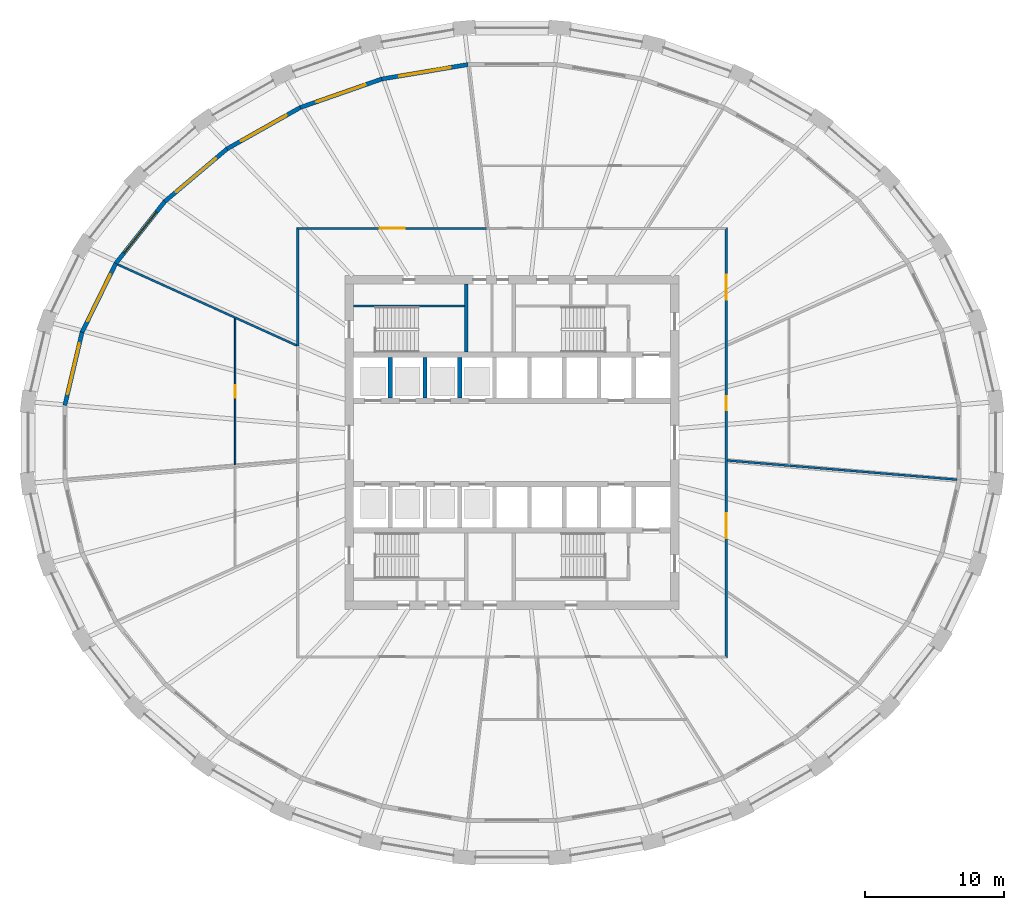
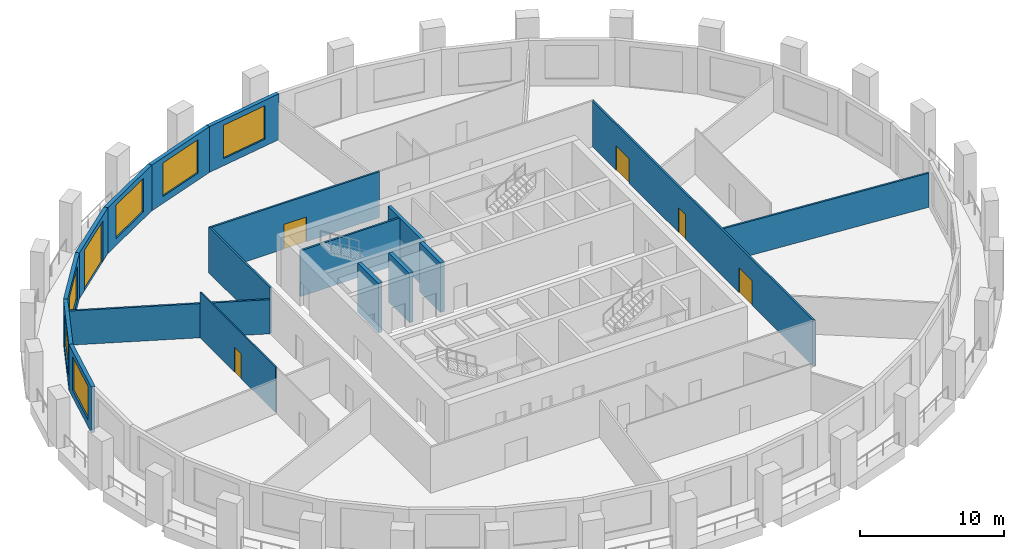
# One storey, part 5 of 10: 18 walls, 6 doors, 6 windows, 12 openings.
"""IFC4 building model written with IfcOpenShell, lengths in metres."""

import ifcopenshell
import ifcopenshell.guid

model = None  # the IFC model being written
_history = None  # IfcOwnerHistory: only IFC2X3 demands one
_inside = {}  # id of a spatial element -> (the spatial element, [elements in it])
_under = {}  # id of a project, library or spatial element -> (it, [spatial elements below it])
_declared = {}  # id of a project -> (the project, [libraries it declares])
_typed = {}  # id of a type object -> (the type object, [elements of that type])
_made_of = {}  # id of a material, layer set ... -> (it, [elements and type objects made of it])


def new_model(schema):
    """Start an empty IFC model of exactly this schema.

    Asked for "IFC4X3", IfcOpenShell would pick the latest addendum, in which some entities
    have other attributes; the version numbers below select the first issue.
    IFC2X3 requires an IfcOwnerHistory on every rooted entity: one is made here for all.
    """
    global model, _history
    if schema == "IFC4X3":
        model = ifcopenshell.file(schema_version=(4, 3, 0, 0))
    else:
        model = ifcopenshell.file(schema=schema)
    _inside.clear()
    _under.clear()
    _declared.clear()
    _typed.clear()
    _made_of.clear()
    _history = None
    if model.schema == "IFC2X3":
        org = make("IfcOrganization", Name="unknown")
        user = make(
            "IfcPersonAndOrganization",
            ThePerson=make("IfcPerson", FamilyName="unknown"),
            TheOrganization=org,
        )
        app = make(
            "IfcApplication",
            ApplicationDeveloper=org,
            Version="unknown",
            ApplicationFullName="unknown",
            ApplicationIdentifier="unknown",
        )
        _history = make(
            "IfcOwnerHistory",
            OwningUser=user,
            OwningApplication=app,
            ChangeAction="ADDED",
            CreationDate=0,
        )
    return model


def make(cls, **values):
    """One entity of the class cls with the attributes given. An attribute that is None is left unset."""
    return model.create_entity(
        cls, **{name: value for name, value in values.items() if value is not None}
    )


def rooted(cls, **values):
    """An entity with a GlobalId (a new one), such as an element, a storey or a relation."""
    return make(cls, GlobalId=ifcopenshell.guid.new(), OwnerHistory=_history, **values)


def si_unit(unit_type, name, prefix=None):
    """IfcSIUnit, for example si_unit("LENGTHUNIT", "METRE", prefix="MILLI")."""
    return make("IfcSIUnit", UnitType=unit_type, Prefix=prefix, Name=name)


def assignment(units):
    """IfcUnitAssignment: the units of a project."""
    return None if units is None else make("IfcUnitAssignment", Units=units)


def point(xyz):
    """IfcCartesianPoint."""
    return None if xyz is None else make("IfcCartesianPoint", Coordinates=xyz)


def direction(xyz):
    """IfcDirection."""
    return None if xyz is None else make("IfcDirection", DirectionRatios=xyz)


def frame(location, z_axis=None, x_axis=None):
    """IfcAxis2Placement3D, a coordinate frame: its origin and axes. An axis left out is left unset."""
    return make(
        "IfcAxis2Placement3D",
        Location=point(location),
        Axis=direction(z_axis),
        RefDirection=direction(x_axis),
    )


def frame_2d(location, x_axis=None):
    """IfcAxis2Placement2D, a coordinate frame in the plane: its origin and x axis."""
    return make(
        "IfcAxis2Placement2D", Location=point(location), RefDirection=direction(x_axis)
    )


def origin():
    """The frame at (0, 0, 0) with its axes left unset."""
    return frame((0.0, 0.0, 0.0))


def place(relative_to, where):
    """IfcLocalPlacement: puts the frame where relative to a parent placement (None: the world)."""
    return make(
        "IfcLocalPlacement", PlacementRelTo=relative_to, RelativePlacement=where
    )


def context(
    kind, dimensions, precision=None, world=None, true_north=None, identifier=None
):
    """IfcGeometricRepresentationContext, for example the 3D "Model" context."""
    return make(
        "IfcGeometricRepresentationContext",
        ContextIdentifier=identifier,
        ContextType=kind,
        CoordinateSpaceDimension=dimensions,
        Precision=precision,
        WorldCoordinateSystem=world,
        TrueNorth=true_north,
    )


def subcontext(parent, identifier, kind, view, scale=None):
    """IfcGeometricRepresentationSubContext, for example "Body" below "Model"."""
    return make(
        "IfcGeometricRepresentationSubContext",
        ContextIdentifier=identifier,
        ContextType=kind,
        ParentContext=parent,
        TargetScale=scale,
        TargetView=view,
    )


def project(units=None, contexts=None):
    """IfcProject with its units and contexts."""
    return rooted(
        "IfcProject",
        Name="project",
        RepresentationContexts=contexts,
        UnitsInContext=assignment(units),
    )


def spatial(cls, under=None, at=None, **own):
    """A site, building, storey or space (cls), placed at a placement, below another one or the project."""
    s = rooted(cls, ObjectPlacement=at, **own)
    if under is not None:
        _under.setdefault(under.id(), (under, []))[1].append(s)
    return s


def polyline(points):
    """IfcPolyline through the points."""
    return make("IfcPolyline", Points=[point(p) for p in points])


def profile(cls, at=None, kind="AREA", **sizes):
    """A parametric profile (cls). Its sizes go by their IFC names, for example OverallWidth=200.0."""
    return make(cls, ProfileType=kind, Position=at, **sizes)


def rectangle(**sizes):
    """IfcRectangleProfileDef."""
    return profile("IfcRectangleProfileDef", **sizes)


def outline(outer, holes=None, kind="AREA"):
    """IfcArbitraryClosedProfileDef: a profile drawn as a closed curve; with holes, ...WithVoids."""
    if holes is None:
        return make("IfcArbitraryClosedProfileDef", ProfileType=kind, OuterCurve=outer)
    return make(
        "IfcArbitraryProfileDefWithVoids",
        ProfileType=kind,
        OuterCurve=outer,
        InnerCurves=holes,
    )


def extrude(swept, where, along, depth):
    """IfcExtrudedAreaSolid: the profile swept, set in the frame where, extruded along a direction by depth."""
    return make(
        "IfcExtrudedAreaSolid",
        SweptArea=swept,
        Position=where,
        ExtrudedDirection=direction(along),
        Depth=depth,
    )


def shape(context_of_items, identifier, shape_type, items):
    """IfcShapeRepresentation: the items that make up one representation, for example the "Body"."""
    return make(
        "IfcShapeRepresentation",
        ContextOfItems=context_of_items,
        RepresentationIdentifier=identifier,
        RepresentationType=shape_type,
        Items=items,
    )


def material(Name=None, Category=None):
    """IfcMaterial."""
    return make("IfcMaterial", Name=Name, Category=Category)


def layer(
    of_material, thickness, ventilated=None, Name=None, Category=None, Priority=None
):
    """IfcMaterialLayer: one layer of a wall or slab, of a material (None: an air gap)."""
    return make(
        "IfcMaterialLayer",
        Material=of_material,
        LayerThickness=thickness,
        IsVentilated=ventilated,
        Name=Name,
        Category=Category,
        Priority=Priority,
    )


def layer_set(layers, Name=None):
    """IfcMaterialLayerSet."""
    return make("IfcMaterialLayerSet", MaterialLayers=layers, LayerSetName=Name)


def made_of(thing, what):
    """Note that an element or type object is made of a material, layer set ...; save() writes the relation."""
    if what is not None:
        _made_of.setdefault(what.id(), (what, []))[1].append(thing)
    return thing


def type_object(cls, material=None, **own):
    """A type object (cls), such as IfcWallType, which elements share."""
    return made_of(rooted(cls, **own), material)


def element(
    cls,
    number,
    at=None,
    inside=None,
    cuts=None,
    type_object=None,
    material=None,
    context=None,
    identifier="Body",
    shape_type=None,
    held_by="IfcProductDefinitionShape",
    body=None,
    shapes=None,
    **own,
):
    """One element of the class cls, such as IfcWall. Its Tag is "e" and its number.

    at: its placement. inside: the storey or other place that contains it. cuts: it is an
    opening in that element (IfcRelVoidsElement). A single representation is given by context,
    identifier, shape_type and body (its items); several are given by shapes. held_by: the class
    of the entity that holds the representations. save() writes the other relations.
    """
    e = rooted(cls, Tag="e%d" % number, ObjectPlacement=at, **own)
    if body is not None:
        shapes = [shape(context, identifier, shape_type, body)]
    if shapes is not None:
        e.Representation = make(held_by, Representations=shapes)
    if inside is not None:
        _inside.setdefault(inside.id(), (inside, []))[1].append(e)
    if cuts is not None:
        rooted(
            "IfcRelVoidsElement", RelatingBuildingElement=cuts, RelatedOpeningElement=e
        )
    if type_object is not None:
        _typed.setdefault(type_object.id(), (type_object, []))[1].append(e)
    return made_of(e, material)


def fill(opening, filler):
    """IfcRelFillsElement: the door or window that sits in an opening."""
    return rooted(
        "IfcRelFillsElement",
        RelatingOpeningElement=opening,
        RelatedBuildingElement=filler,
    )


def aggregate(whole, parts):
    """IfcRelAggregates: a whole, such as a stair, and the parts it consists of."""
    return rooted("IfcRelAggregates", RelatingObject=whole, RelatedObjects=parts)


def save(model, path):
    """Write the relations noted so far, then the file.

    IfcRelAggregates (storeys below a building ...), IfcRelContainedInSpatialStructure (elements
    in a storey), IfcRelDefinesByType, IfcRelAssociatesMaterial and IfcRelDeclares: one each for
    every whole, place, type object, material and project.
    """
    for whole, parts in _under.values():
        aggregate(whole, parts)
    for where, things in _inside.values():
        rooted(
            "IfcRelContainedInSpatialStructure",
            RelatedElements=things,
            RelatingStructure=where,
        )
    for kind, things in _typed.values():
        rooted("IfcRelDefinesByType", RelatedObjects=things, RelatingType=kind)
    for what, things in _made_of.values():
        rooted("IfcRelAssociatesMaterial", RelatedObjects=things, RelatingMaterial=what)
    for by, libraries in _declared.values():
        rooted("IfcRelDeclares", RelatingContext=by, RelatedDefinitions=libraries)
    model.write(path)


model = new_model("IFC4")

# Units and contexts
model_context = context("Model", 3, precision=1e-05, world=origin(), true_north=direction((0.0, 1.0)))
body_context = subcontext(model_context, "Body", "Model", "MODEL_VIEW")
ifc_project = project(units=[si_unit("LENGTHUNIT", "METRE"), si_unit("AREAUNIT", "SQUARE_METRE"), si_unit("VOLUMEUNIT", "CUBIC_METRE"), si_unit("PLANEANGLEUNIT", "RADIAN"), si_unit("MASSUNIT", "GRAM", prefix="KILO")], contexts=[model_context])

# Site, building, storey
site_placement = place(None, origin())
site = spatial("IfcSite", under=ifc_project, at=site_placement, CompositionType="ELEMENT")
building_placement = place(site_placement, origin())
building = spatial("IfcBuilding", under=site, at=building_placement, Name="Halqa Exchange Tower", CompositionType="ELEMENT")
storey_placement = place(building_placement, frame((0.0, 0.0, 121.300048828125)))
storey = spatial("IfcBuildingStorey", under=building, at=storey_placement, Name="L27", CompositionType="ELEMENT", Elevation=121.300048828125)

# Walls
ifc_material_1 = material(Name="Fire-rated gypsum board")
ifc_layer_1 = layer(ifc_material_1, 0.14990234375)
ifc_layer_set_1 = layer_set([ifc_layer_1], Name="Fire-rated gypsum board")
wall_type_1 = type_object("IfcWallType", Name="Fire partition EI 60 150", PredefinedType="PARTITIONING", material=ifc_layer_set_1)
wall_1_placement = place(storey_placement, frame((-28.351806640625, 12.80419921875, 0.0), z_axis=(0.0, 0.0, 1.0), x_axis=(0.91107802929, -0.412233943951, 0.0)))
element("IfcWall", 1, at=wall_1_placement, inside=storey, type_object=wall_type_1, Name="L27-PWL-002", PredefinedType="PARTITIONING", context=body_context, shape_type="SweptSolid", body=[
    extrude(outline(polyline([(0.0, -0.074951171875), (1.8720703125, -0.074951171875), (3.743896484375, -0.074951171875), (5.615966796875, -0.074951171875), (7.48779296875, -0.074951171875), (9.35986328125, -0.074951171875), (9.364501953125, -0.07275390625), (9.365478515625, -0.074951171875), (10.966064453125, -0.074951171875), (12.56689453125, -0.074951171875), (14.16748046875, -0.074951171875), (14.16748046875, -0.074951171875), (14.14501953125, -0.025390625), (14.099609375, 0.074951171875), (12.33984375, 0.074951171875), (10.580078125, 0.074951171875), (8.8203125, 0.074951171875), (7.060302734375, 0.074951171875), (5.300537109375, 0.074951171875), (3.540771484375, 0.074951171875), (1.781005859375, 0.074951171875), (0.021240234375, 0.074951171875), (0.001708984375, -0.003173828125), (0.0, -0.05859375), (0.0, -0.074951171875)])), origin(), (0.0, 0.0, 1.0), 2.909912109375),
])
wall_2_placement = place(storey_placement, frame((-15.39990234375, 6.949951171875, 0.0), z_axis=(0.0, 0.0, 1.0), x_axis=(0.0, 1.0, 0.0)))
element("IfcWall", 2, at=wall_2_placement, inside=storey, type_object=wall_type_1, Name="L27-PWL-008", PredefinedType="PARTITIONING", context=body_context, shape_type="SweptSolid", body=[
    extrude(outline(polyline([(0.0, -0.074951171875), (1.675048828125, -0.074951171875), (3.35009765625, -0.074951171875), (5.02490234375, -0.074951171875), (6.699951171875, -0.074951171875), (8.375, -0.074951171875), (8.52490234375, 0.074951171875), (6.81982421875, 0.074951171875), (5.114990234375, 0.074951171875), (3.409912109375, 0.074951171875), (1.705078125, 0.074951171875), (0.0, 0.074951171875), (0.0, -0.074951171875)])), origin(), (0.0, 0.0, 1.0), 3.89990234375),
])

# Wall, opening, door
wall_3_placement = place(storey_placement, frame((-15.47509765625, 15.39990234375, 0.0), z_axis=(0.0, 0.0, 1.0), x_axis=(1.0, 0.0, 0.0)))
wall_3 = element("IfcWall", 3, at=wall_3_placement, inside=storey, type_object=wall_type_1, Name="L27-PWL-009", PredefinedType="PARTITIONING", context=body_context, shape_type="SweptSolid", body=[
    extrude(outline(polyline([(13.675048828125, 0.074951171875), (11.721435546875, 0.074951171875), (9.76806640625, 0.074951171875), (7.814453125, 0.074951171875), (5.86083984375, 0.074951171875), (3.9072265625, 0.074951171875), (1.953857421875, 0.074951171875), (0.000244140625, 0.074951171875), (0.150146484375, -0.074951171875), (2.082275390625, -0.074951171875), (4.014404296875, -0.074951171875), (5.946533203125, -0.074951171875), (7.878662109375, -0.074951171875), (9.810791015625, -0.074951171875), (11.742919921875, -0.074951171875), (13.675048828125, -0.074951171875), (13.675048828125, 0.074951171875)])), origin(), (0.0, 0.0, 1.0), 3.89990234375),
])
opening_1_placement = place(wall_3_placement, frame((5.97509765625, 0.0, 0.0)))
opening_1 = element("IfcOpeningElement", 4, at=opening_1_placement, cuts=wall_3, Name="Opening 08-07", PredefinedType="OPENING", context=body_context, shape_type="SweptSolid", body=[
    extrude(rectangle(XDim=1.800048828125, YDim=2.10009765625, at=frame_2d((0.89990234375, 1.050048828125))), frame((0.0, 0.0869140625, 0.0), z_axis=(0.0, -1.0, 0.0), x_axis=(1.0, 0.0, 0.0)), (0.0, 0.0, 1.0), 0.173828125),
])
ifc_material_2 = material(Name="Steel fire door leaf", Category="steel")
door_type_1 = type_object("IfcDoorType", Name="Fire door FD30S double 1800 x 2100", OperationType="DOUBLE_DOOR_SINGLE_SWING", PredefinedType="DOOR", material=ifc_material_2)
door_1_placement = place(opening_1_placement, origin())
door_1 = element("IfcDoor", 5, at=door_1_placement, inside=storey, type_object=door_type_1, Name="L27-IDR-007", OperationType="DOUBLE_DOOR_SINGLE_SWING", OverallHeight=2.10009765625, OverallWidth=1.800048828125, PredefinedType="DOOR", context=body_context, shape_type="SweptSolid", body=[
    extrude(rectangle(XDim=1.800048828125, YDim=2.10009765625, at=frame_2d((0.89990234375, 1.050048828125))), frame((0.0, 0.02490234375, 0.0), z_axis=(0.0, -1.0, 0.0), x_axis=(1.0, 0.0, 0.0)), (0.0, 0.0, 1.0), 0.050048828125),
])
fill(opening_1, door_1)

# Wall, openings, doors
wall_4_placement = place(storey_placement, frame((15.39990234375, -15.47509765625, 0.0), z_axis=(0.0, 0.0, 1.0), x_axis=(0.0, 1.0, 0.0)))
wall_4 = element("IfcWall", 6, at=wall_4_placement, inside=storey, type_object=wall_type_1, Name="L27-PWL-020", PredefinedType="PARTITIONING", context=body_context, shape_type="SweptSolid", body=[
    extrude(outline(polyline([(0.000244140625, -0.074951171875), (1.9345703125, -0.074951171875), (3.868896484375, -0.074951171875), (5.80322265625, -0.074951171875), (7.73779296875, -0.074951171875), (9.672119140625, -0.074951171875), (11.6064453125, -0.074951171875), (13.540771484375, -0.074951171875), (15.47509765625, -0.074951171875), (17.409423828125, -0.074951171875), (19.34375, -0.074951171875), (21.278076171875, -0.074951171875), (23.21240234375, -0.074951171875), (25.14697265625, -0.074951171875), (27.081298828125, -0.074951171875), (29.015625, -0.074951171875), (30.949951171875, -0.074951171875), (30.800048828125, 0.074951171875), (28.884521484375, 0.074951171875), (26.96875, 0.074951171875), (25.05322265625, 0.074951171875), (23.1376953125, 0.074951171875), (21.221923828125, 0.074951171875), (19.306396484375, 0.074951171875), (17.390625, 0.074951171875), (15.47509765625, 0.074951171875), (13.5595703125, 0.074951171875), (11.643798828125, 0.074951171875), (9.728271484375, 0.074951171875), (7.8125, 0.074951171875), (5.89697265625, 0.074951171875), (3.9814453125, 0.074951171875), (2.065673828125, 0.074951171875), (0.150146484375, 0.074951171875), (0.000244140625, -0.074951171875)])), origin(), (0.0, 0.0, 1.0), 3.89990234375),
])
opening_2_placement = place(wall_4_placement, frame((8.594970703125, 0.0, 0.0)))
opening_2 = element("IfcOpeningElement", 7, at=opening_2_placement, cuts=wall_4, Name="Opening 08-02", PredefinedType="OPENING", context=body_context, shape_type="SweptSolid", body=[
    extrude(rectangle(XDim=1.800048828125, YDim=2.10009765625, at=frame_2d((0.89990234375, 1.050048828125))), frame((0.0, 0.0869140625, 0.0), z_axis=(0.0, -1.0, 0.0), x_axis=(1.0, 0.0, 0.0)), (0.0, 0.0, 1.0), 0.173828125),
])
opening_3_placement = place(wall_4_placement, frame((17.81005859375, 0.0, 0.0)))
opening_3 = element("IfcOpeningElement", 8, at=opening_3_placement, cuts=wall_4, Name="Opening 08-03", PredefinedType="OPENING", context=body_context, shape_type="SweptSolid", body=[
    extrude(rectangle(XDim=1.0, YDim=2.10009765625, at=frame_2d((0.5, 1.050048828125))), frame((0.0, 0.0869140625, 0.0), z_axis=(0.0, -1.0, 0.0), x_axis=(1.0, 0.0, 0.0)), (0.0, 0.0, 1.0), 0.173828125),
])
opening_4_placement = place(wall_4_placement, frame((25.75, 0.0, 0.0)))
opening_4 = element("IfcOpeningElement", 9, at=opening_4_placement, cuts=wall_4, Name="Opening 08-04", PredefinedType="OPENING", context=body_context, shape_type="SweptSolid", body=[
    extrude(rectangle(XDim=1.800048828125, YDim=2.10009765625, at=frame_2d((0.89990234375, 1.050048828125))), frame((0.0, 0.0869140625, 0.0), z_axis=(0.0, -1.0, 0.0), x_axis=(1.0, 0.0, 0.0)), (0.0, 0.0, 1.0), 0.173828125),
])
door_type_2 = type_object("IfcDoorType", Name="Fire door FD30S 1000 x 2100", OperationType="SINGLE_SWING_LEFT", PredefinedType="DOOR", material=ifc_material_2)
door_2_placement = place(opening_3_placement, frame((1.0, 0.0, 0.0), z_axis=(0.0, 0.0, 1.0), x_axis=(-1.0, 0.0, 0.0)))
door_2 = element("IfcDoor", 10, at=door_2_placement, inside=storey, type_object=door_type_2, Name="L27-IDR-003", OperationType="SINGLE_SWING_RIGHT", OverallHeight=2.10009765625, OverallWidth=1.0, PredefinedType="DOOR", context=body_context, shape_type="SweptSolid", body=[
    extrude(rectangle(XDim=1.0, YDim=2.10009765625, at=frame_2d((0.5, 1.050048828125))), frame((0.0, 0.02490234375, 0.0), z_axis=(0.0, -1.0, 0.0), x_axis=(1.0, 0.0, 0.0)), (0.0, 0.0, 1.0), 0.050048828125),
])
fill(opening_3, door_2)
door_3_placement = place(opening_2_placement, frame((1.800048828125, 0.0, 0.0), z_axis=(0.0, 0.0, 1.0), x_axis=(-1.0, 0.0, 0.0)))
door_3 = element("IfcDoor", 11, at=door_3_placement, inside=storey, type_object=door_type_1, Name="L27-IDR-002", OperationType="DOUBLE_DOOR_SINGLE_SWING", OverallHeight=2.10009765625, OverallWidth=1.800048828125, PredefinedType="DOOR", context=body_context, shape_type="SweptSolid", body=[
    extrude(rectangle(XDim=1.800048828125, YDim=2.10009765625, at=frame_2d((0.89990234375, 1.050048828125))), frame((0.0, 0.02490234375, 0.0), z_axis=(0.0, -1.0, 0.0), x_axis=(1.0, 0.0, 0.0)), (0.0, 0.0, 1.0), 0.050048828125),
])
fill(opening_2, door_3)
door_4_placement = place(opening_4_placement, frame((1.800048828125, 0.0, 0.0), z_axis=(0.0, 0.0, 1.0), x_axis=(-1.0, 0.0, 0.0)))
door_4 = element("IfcDoor", 12, at=door_4_placement, inside=storey, type_object=door_type_1, Name="L27-IDR-004", OperationType="DOUBLE_DOOR_SINGLE_SWING", OverallHeight=2.10009765625, OverallWidth=1.800048828125, PredefinedType="DOOR", context=body_context, shape_type="SweptSolid", body=[
    extrude(rectangle(XDim=1.800048828125, YDim=2.10009765625, at=frame_2d((0.89990234375, 1.050048828125))), frame((0.0, 0.02490234375, 0.0), z_axis=(0.0, -1.0, 0.0), x_axis=(1.0, 0.0, 0.0)), (0.0, 0.0, 1.0), 0.050048828125),
])
fill(opening_4, door_4)

# Wall
wall_5_placement = place(storey_placement, frame((15.46923828125, -1.285888671875, 0.0), z_axis=(0.0, 0.0, 1.0), x_axis=(0.996533353756, -0.083194199634, 0.0)))
element("IfcWall", 13, at=wall_5_placement, inside=storey, type_object=wall_type_1, Name="L27-PWL-022", PredefinedType="PARTITIONING", context=body_context, shape_type="SweptSolid", body=[
    extrude(outline(polyline([(0.011962890625, -0.074951171875), (1.8515625, -0.074951171875), (3.69140625, -0.074951171875), (5.531005859375, -0.074951171875), (7.37060546875, -0.074951171875), (9.210205078125, -0.074951171875), (11.0498046875, -0.074951171875), (12.8896484375, -0.074951171875), (14.729248046875, -0.074951171875), (16.56884765625, -0.074951171875), (16.574462890625, -0.037109375), (16.574462890625, 0.074951171875), (14.835693359375, 0.074951171875), (13.096923828125, 0.074951171875), (11.358154296875, 0.074951171875), (9.619384765625, 0.074951171875), (7.880615234375, 0.074951171875), (6.141845703125, 0.074951171875), (4.403076171875, 0.074951171875), (4.389892578125, 0.073974609375), (4.3896484375, 0.074951171875), (2.926513671875, 0.074951171875), (1.463134765625, 0.074951171875), (0.0, 0.074951171875), (0.0, 0.0693359375), (0.011962890625, -0.074951171875)])), origin(), (0.0, 0.0, 1.0), 2.909912109375),
])

# Wall, opening, door
ifc_material_3 = material(Name="Gypsum board")
ifc_layer_2 = layer(ifc_material_3, 0.10009765625)
ifc_layer_set_2 = layer_set([ifc_layer_2], Name="Gypsum board")
wall_type_2 = type_object("IfcWallType", Name="Partition 100 gypsum", PredefinedType="PARTITIONING", material=ifc_layer_set_2)
wall_6_placement = place(storey_placement, frame((-19.89990234375, -1.58447265625, 0.0), z_axis=(0.0, 0.0, 1.0), x_axis=(0.0, 1.0, 0.0)))
wall_6 = element("IfcWall", 14, at=wall_6_placement, inside=storey, type_object=wall_type_2, Name="L27-PWL-005", PredefinedType="PARTITIONING", context=body_context, shape_type="SweptSolid", body=[
    extrude(outline(polyline([(0.00830078125, -0.050048828125), (1.75, -0.050048828125), (3.491943359375, -0.050048828125), (5.23388671875, -0.050048828125), (6.9755859375, -0.050048828125), (8.717529296875, -0.050048828125), (10.45947265625, -0.050048828125), (10.50439453125, 0.04931640625), (10.50439453125, 0.050048828125), (8.753662109375, 0.050048828125), (7.0029296875, 0.050048828125), (5.252197265625, 0.050048828125), (3.50146484375, 0.050048828125), (1.750732421875, 0.050048828125), (0.0, 0.050048828125), (0.0, 0.048095703125), (0.00830078125, -0.050048828125)])), origin(), (0.0, 0.0, 1.0), 3.89990234375),
])
opening_5_placement = place(wall_6_placement, frame((4.79443359375, 0.0, 0.0)))
opening_5 = element("IfcOpeningElement", 15, at=opening_5_placement, cuts=wall_6, Name="Opening 08-15", PredefinedType="OPENING", context=body_context, shape_type="SweptSolid", body=[
    extrude(rectangle(XDim=0.89990234375, YDim=2.10009765625, at=frame_2d((0.449951171875, 1.050048828125))), frame((0.0, 0.06201171875, 0.0), z_axis=(0.0, -1.0, 0.0), x_axis=(1.0, 0.0, 0.0)), (0.0, 0.0, 1.0), 0.1240234375),
])
ifc_material_4 = material(Name="Timber door leaf", Category="wood")
door_type_3 = type_object("IfcDoorType", Name="Door 900 x 2100", OperationType="SINGLE_SWING_LEFT", PredefinedType="DOOR", material=ifc_material_4)
door_5_placement = place(opening_5_placement, frame((0.89990234375, 0.0, 0.0), z_axis=(0.0, 0.0, 1.0), x_axis=(-1.0, 0.0, 0.0)))
door_5 = element("IfcDoor", 16, at=door_5_placement, inside=storey, type_object=door_type_3, Name="L27-IDR-015", OperationType="SINGLE_SWING_RIGHT", OverallHeight=2.10009765625, OverallWidth=0.89990234375, PredefinedType="DOOR", context=body_context, shape_type="SweptSolid", body=[
    extrude(rectangle(XDim=0.89990234375, YDim=2.10009765625, at=frame_2d((0.449951171875, 1.050048828125))), frame((0.0, 0.02490234375, 0.0), z_axis=(0.0, -1.0, 0.0), x_axis=(1.0, 0.0, 0.0)), (0.0, 0.0, 1.0), 0.050048828125),
])
fill(opening_5, door_5)

# Walls
ifc_material_5 = material(Name="Concrete C60/75", Category="concrete")
ifc_layer_3 = layer(ifc_material_5, 0.300048828125)
ifc_layer_set_3 = layer_set([ifc_layer_3], Name="Concrete C60/75")
wall_type_3 = type_object("IfcWallType", Name="RC core wall 300", PredefinedType="SHEAR", material=ifc_layer_set_3)
for number, where, z_axis, x_axis, name in (
    (17, (-8.75, 3.199951171875, 0.0), (0.0, 0.0, 1.0), (0.0, 1.0, 0.0), "Shaft divider N1"),
    (18, (-6.25, 3.199951171875, 0.0), (0.0, 0.0, 1.0), (0.0, 1.0, 0.0), "Shaft divider N2"),
    (19, (-3.75, 3.199951171875, 0.0), (0.0, 0.0, 1.0), (0.0, 1.0, 0.0), "Shaft divider N3"),
):
    element("IfcWall", number, at=place(storey_placement, frame(where, z_axis=z_axis, x_axis=x_axis)), inside=storey, type_object=wall_type_3, Name=name, PredefinedType="SHEAR", context=body_context, shape_type="SweptSolid", body=[
        extrude(rectangle(XDim=2.900146484375, YDim=0.300048828125, at=frame_2d((1.4501953125, 0.0))), origin(), (0.0, 0.0, 1.0), 4.199951171875),
    ])
ifc_material_6 = material(Name="Concrete C30/37", Category="concrete")
ifc_layer_4 = layer(ifc_material_6, 0.14990234375)
ifc_layer_set_4 = layer_set([ifc_layer_4], Name="Concrete C30/37")
wall_type_4 = type_object("IfcWallType", Name="RC stair wall 150 C30/37", PredefinedType="SHEAR", material=ifc_layer_set_4)
wall_7_placement = place(storey_placement, frame((-11.39990234375, 9.824951171875, 0.0), z_axis=(0.0, 0.0, 1.0), x_axis=(1.0, 0.0, 0.0)))
element("IfcWall", 20, at=wall_7_placement, inside=storey, type_object=wall_type_4, Name="Stair ST1 north wall N", PredefinedType="SHEAR", context=body_context, shape_type="SweptSolid", body=[
    extrude(rectangle(XDim=8.0, YDim=0.14990234375, at=frame_2d((4.0, 0.0))), origin(), (0.0, 0.0, 1.0), 3.89990234375),
])
ifc_layer_5 = layer(ifc_material_6, 0.25)
ifc_layer_set_5 = layer_set([ifc_layer_5], Name="Concrete C30/37")
wall_type_5 = type_object("IfcWallType", Name="RC stair wall 250 C30/37", PredefinedType="SHEAR", material=ifc_layer_set_5)
wall_8_placement = place(storey_placement, frame((-3.27490234375, 6.5, 0.0), z_axis=(0.0, 0.0, 1.0), x_axis=(0.0, 1.0, 0.0)))
element("IfcWall", 21, at=wall_8_placement, inside=storey, type_object=wall_type_5, Name="Stair ST1 east wall N", PredefinedType="SHEAR", context=body_context, shape_type="SweptSolid", body=[
    extrude(rectangle(XDim=4.89990234375, YDim=0.25, at=frame_2d((2.449951171875, 0.0))), origin(), (0.0, 0.0, 1.0), 3.89990234375),
])

# Wall, opening, window
ifc_material_7 = material(Name="Limestone cladding", Category="masonry")
ifc_layer_6 = layer(ifc_material_7, 0.0400390625)
ifc_material_8 = material(Name="Ventilated cavity")
ifc_layer_7 = layer(ifc_material_8, 0.030029296875, ventilated=True)
ifc_material_9 = material(Name="Mineral wool insulation")
ifc_layer_8 = layer(ifc_material_9, 0.10009765625)
ifc_layer_9 = layer(ifc_material_6, 0.10009765625)
ifc_material_10 = material(Name="Internal plaster")
ifc_layer_10 = layer(ifc_material_10, 0.030029296875)
ifc_layer_set_6 = layer_set([ifc_layer_6, ifc_layer_7, ifc_layer_8, ifc_layer_9, ifc_layer_10], Name="Stone-faced insulated wall 300")
wall_type_6 = type_object("IfcWallType", Name="Stone-faced insulated wall 300", PredefinedType="STANDARD", material=ifc_layer_set_6)
wall_9_placement = place(storey_placement, frame((-3.16357421875, 27.174072265625, 0.0), z_axis=(0.0, 0.0, 1.0), x_axis=(-0.986176011722, -0.165701158427, 0.0)))
wall_9 = element("IfcWall", 22, at=wall_9_placement, inside=storey, type_object=wall_type_6, Name="Glass-line wall 9", PredefinedType="STANDARD", context=body_context, shape_type="SweptSolid", body=[
    extrude(outline(polyline([(-0.012451171875, -0.14990234375), (6.305419921875, -0.14990234375), (6.280029296875, 0.14990234375), (0.012451171875, 0.14990234375), (-0.012451171875, -0.14990234375)])), origin(), (0.0, 0.0, 1.0), 3.89990234375),
])
opening_6_placement = place(wall_9_placement, frame((1.271484375, 0.0, 0.60009765625)))
opening_6 = element("IfcOpeningElement", 23, at=opening_6_placement, cuts=wall_9, Name="Opening W-F2-09", PredefinedType="OPENING", context=body_context, shape_type="SweptSolid", body=[
    extrude(rectangle(XDim=3.75, YDim=2.85009765625, at=frame_2d((1.875, 1.425048828125))), frame((0.0, 0.162109375, 0.0), z_axis=(0.0, -1.0, 0.0), x_axis=(1.0, 0.0, 0.0)), (0.0, 0.0, 1.0), 0.323974609375),
])
ifc_material_11 = material(Name="Clear low-emissivity glass in aluminium frame", Category="aluminium")
window_type = type_object("IfcWindowType", Name="Fixed clear glazed window 3750 x 2850", PartitioningType="TRIPLE_PANEL_VERTICAL", PredefinedType="WINDOW", material=ifc_material_11)
window_1_placement = place(opening_6_placement, origin())
window_1 = element("IfcWindow", 24, at=window_1_placement, inside=storey, type_object=window_type, Name="Window 2", OverallHeight=2.85009765625, OverallWidth=3.75, PartitioningType="TRIPLE_PANEL_VERTICAL", PredefinedType="WINDOW", context=body_context, shape_type="SweptSolid", body=[
    extrude(rectangle(XDim=3.75, YDim=2.85009765625, at=frame_2d((1.875, 1.425048828125))), frame((0.0, 0.030029296875, 0.0), z_axis=(0.0, -1.0, 0.0), x_axis=(1.0, 0.0, 0.0)), (0.0, 0.0, 1.0), 0.06005859375),
])
fill(opening_6, window_1)

wall_10_placement = place(storey_placement, frame((-9.369384765625, 26.13134765625, 0.0), z_axis=(0.0, 0.0, 1.0), x_axis=(-0.94389706045, -0.330239820849, 0.0)))
wall_10 = element("IfcWall", 25, at=wall_10_placement, inside=storey, type_object=wall_type_6, Name="Glass-line wall 10", PredefinedType="STANDARD", context=body_context, shape_type="SweptSolid", body=[
    extrude(outline(polyline([(-0.0126953125, -0.14990234375), (6.207763671875, -0.14990234375), (6.180908203125, 0.14990234375), (0.0126953125, 0.14990234375), (-0.0126953125, -0.14990234375)])), origin(), (0.0, 0.0, 1.0), 3.89990234375),
])
opening_7_placement = place(wall_10_placement, frame((1.22216796875, 0.0, 0.60009765625)))
opening_7 = element("IfcOpeningElement", 26, at=opening_7_placement, cuts=wall_10, Name="Opening W-F2-10", PredefinedType="OPENING", context=body_context, shape_type="SweptSolid", body=[
    extrude(rectangle(XDim=3.75, YDim=2.85009765625, at=frame_2d((1.875, 1.425048828125))), frame((0.0, 0.162109375, 0.0), z_axis=(0.0, -1.0, 0.0), x_axis=(1.0, 0.0, 0.0)), (0.0, 0.0, 1.0), 0.323974609375),
])
window_2_placement = place(opening_7_placement, origin())
window_2 = element("IfcWindow", 27, at=window_2_placement, inside=storey, type_object=window_type, Name="Window 2", OverallHeight=2.85009765625, OverallWidth=3.75, PartitioningType="TRIPLE_PANEL_VERTICAL", PredefinedType="WINDOW", context=body_context, shape_type="SweptSolid", body=[
    extrude(rectangle(XDim=3.75, YDim=2.85009765625, at=frame_2d((1.875, 1.425048828125))), frame((0.0, 0.030029296875, 0.0), z_axis=(0.0, -1.0, 0.0), x_axis=(1.0, 0.0, 0.0)), (0.0, 0.0, 1.0), 0.06005859375),
])
fill(opening_7, window_2)

wall_11_placement = place(storey_placement, frame((-15.21630859375, 24.085693359375, 0.0), z_axis=(0.0, 0.0, 1.0), x_axis=(-0.870858332497, -0.491534093142, 0.0)))
wall_11 = element("IfcWall", 28, at=wall_11_placement, inside=storey, type_object=wall_type_6, Name="Glass-line wall 11", PredefinedType="STANDARD", context=body_context, shape_type="SweptSolid", body=[
    extrude(outline(polyline([(-0.013427734375, -0.14990234375), (6.058349609375, -0.14990234375), (6.030029296875, 0.14990234375), (0.013427734375, 0.14990234375), (-0.013427734375, -0.14990234375)])), origin(), (0.0, 0.0, 1.0), 3.89990234375),
])
opening_8_placement = place(wall_11_placement, frame((1.147216796875, 0.0, 0.60009765625)))
opening_8 = element("IfcOpeningElement", 29, at=opening_8_placement, cuts=wall_11, Name="Opening W-F2-11", PredefinedType="OPENING", context=body_context, shape_type="SweptSolid", body=[
    extrude(rectangle(XDim=3.75, YDim=2.85009765625, at=frame_2d((1.875, 1.425048828125))), frame((0.0, 0.162109375, 0.0), z_axis=(0.0, -1.0, 0.0), x_axis=(1.0, 0.0, 0.0)), (0.0, 0.0, 1.0), 0.323974609375),
])
window_3_placement = place(opening_8_placement, origin())
window_3 = element("IfcWindow", 30, at=window_3_placement, inside=storey, type_object=window_type, Name="Window 2", OverallHeight=2.85009765625, OverallWidth=3.75, PartitioningType="TRIPLE_PANEL_VERTICAL", PredefinedType="WINDOW", context=body_context, shape_type="SweptSolid", body=[
    extrude(rectangle(XDim=3.75, YDim=2.85009765625, at=frame_2d((1.875, 1.425048828125))), frame((0.0, 0.030029296875, 0.0), z_axis=(0.0, -1.0, 0.0), x_axis=(1.0, 0.0, 0.0)), (0.0, 0.0, 1.0), 0.06005859375),
])
fill(opening_8, window_3)

# Wall, opening, door
wall_12_placement = place(storey_placement, frame((-20.47998046875, 21.11474609375, 0.0), z_axis=(0.0, 0.0, 1.0), x_axis=(-0.763937302001, -0.645290476151, 0.0)))
wall_12 = element("IfcWall", 31, at=wall_12_placement, inside=storey, type_object=wall_type_6, Name="Glass-line wall 12", PredefinedType="STANDARD", context=body_context, shape_type="SweptSolid", body=[
    extrude(outline(polyline([(-0.01416015625, -0.14990234375), (5.87744140625, -0.14990234375), (5.84716796875, 0.14990234375), (0.01416015625, 0.14990234375), (-0.01416015625, -0.14990234375)])), origin(), (0.0, 0.0, 1.0), 3.89990234375),
])
opening_9_placement = place(wall_12_placement, frame((1.05615234375, 0.0, 0.0)))
opening_9 = element("IfcOpeningElement", 32, at=opening_9_placement, cuts=wall_12, Name="Opening LG-F2-03", PredefinedType="OPENING", context=body_context, shape_type="SweptSolid", body=[
    extrude(rectangle(XDim=3.75, YDim=3.449951171875, at=frame_2d((1.875, 1.72509765625))), frame((0.0, 0.162109375, 0.0), z_axis=(0.0, -1.0, 0.0), x_axis=(1.0, 0.0, 0.0)), (0.0, 0.0, 1.0), 0.323974609375),
])
door_type_4 = type_object("IfcDoorType", Name="Glazed sliding loggia door 3750 x 3450", OperationType="DOUBLE_DOOR_SLIDING", PredefinedType="DOOR", material=ifc_material_11)
door_6_placement = place(opening_9_placement, origin())
door_6 = element("IfcDoor", 33, at=door_6_placement, inside=storey, type_object=door_type_4, Name="Loggia door 3", OperationType="DOUBLE_DOOR_SLIDING", OverallHeight=3.449951171875, OverallWidth=3.75, PredefinedType="DOOR", context=body_context, shape_type="SweptSolid", body=[
    extrude(rectangle(XDim=3.75, YDim=3.449951171875, at=frame_2d((1.875, 1.72509765625))), frame((0.0, 0.02490234375, 0.0), z_axis=(0.0, -1.0, 0.0), x_axis=(1.0, 0.0, 0.0)), (0.0, 0.0, 1.0), 0.050048828125),
])
fill(opening_9, door_6)

# Wall, opening, window
wall_13_placement = place(storey_placement, frame((-24.95849609375, 17.331787109375, 0.0), z_axis=(0.0, 0.0, 1.0), x_axis=(-0.62038332391, -0.784298751379, 0.0)))
wall_13 = element("IfcWall", 34, at=wall_13_placement, inside=storey, type_object=wall_type_6, Name="Glass-line wall 13", PredefinedType="STANDARD", context=body_context, shape_type="SweptSolid", body=[
    extrude(outline(polyline([(-0.01513671875, -0.14990234375), (5.69091796875, -0.14990234375), (5.65869140625, 0.14990234375), (0.01513671875, 0.14990234375), (-0.01513671875, -0.14990234375)])), origin(), (0.0, 0.0, 1.0), 3.89990234375),
])
opening_10_placement = place(wall_13_placement, frame((0.96240234375, 0.0, 0.60009765625)))
opening_10 = element("IfcOpeningElement", 35, at=opening_10_placement, cuts=wall_13, Name="Opening W-F2-13", PredefinedType="OPENING", context=body_context, shape_type="SweptSolid", body=[
    extrude(rectangle(XDim=3.75, YDim=2.85009765625, at=frame_2d((1.875, 1.425048828125))), frame((0.0, 0.162109375, 0.0), z_axis=(0.0, -1.0, 0.0), x_axis=(1.0, 0.0, 0.0)), (0.0, 0.0, 1.0), 0.323974609375),
])
window_4_placement = place(opening_10_placement, origin())
window_4 = element("IfcWindow", 36, at=window_4_placement, inside=storey, type_object=window_type, Name="Window 2", OverallHeight=2.85009765625, OverallWidth=3.75, PartitioningType="TRIPLE_PANEL_VERTICAL", PredefinedType="WINDOW", context=body_context, shape_type="SweptSolid", body=[
    extrude(rectangle(XDim=3.75, YDim=2.85009765625, at=frame_2d((1.875, 1.425048828125))), frame((0.0, 0.030029296875, 0.0), z_axis=(0.0, -1.0, 0.0), x_axis=(1.0, 0.0, 0.0)), (0.0, 0.0, 1.0), 0.06005859375),
])
fill(opening_10, window_4)

wall_14_placement = place(storey_placement, frame((-28.47900390625, 12.881103515625, 0.0), z_axis=(0.0, 0.0, 1.0), x_axis=(-0.440306401535, -0.897847577692, 0.0)))
wall_14 = element("IfcWall", 37, at=wall_14_placement, inside=storey, type_object=wall_type_6, Name="Glass-line wall 14", PredefinedType="STANDARD", context=body_context, shape_type="SweptSolid", body=[
    extrude(outline(polyline([(-0.01611328125, -0.14990234375), (5.52734375, -0.14990234375), (5.49365234375, 0.14990234375), (0.01611328125, 0.14990234375), (-0.01611328125, -0.14990234375)])), origin(), (0.0, 0.0, 1.0), 3.89990234375),
])
opening_11_placement = place(wall_14_placement, frame((0.880126953125, 0.0, 0.60009765625)))
opening_11 = element("IfcOpeningElement", 38, at=opening_11_placement, cuts=wall_14, Name="Opening W-F2-14", PredefinedType="OPENING", context=body_context, shape_type="SweptSolid", body=[
    extrude(rectangle(XDim=3.75, YDim=2.85009765625, at=frame_2d((1.875, 1.425048828125))), frame((0.0, 0.162109375, 0.0), z_axis=(0.0, -1.0, 0.0), x_axis=(1.0, 0.0, 0.0)), (0.0, 0.0, 1.0), 0.323974609375),
])
window_5_placement = place(opening_11_placement, origin())
window_5 = element("IfcWindow", 39, at=window_5_placement, inside=storey, type_object=window_type, Name="Window 2", OverallHeight=2.85009765625, OverallWidth=3.75, PartitioningType="TRIPLE_PANEL_VERTICAL", PredefinedType="WINDOW", context=body_context, shape_type="SweptSolid", body=[
    extrude(rectangle(XDim=3.75, YDim=2.85009765625, at=frame_2d((1.875, 1.425048828125))), frame((0.0, 0.030029296875, 0.0), z_axis=(0.0, -1.0, 0.0), x_axis=(1.0, 0.0, 0.0)), (0.0, 0.0, 1.0), 0.06005859375),
])
fill(opening_11, window_5)

wall_15_placement = place(storey_placement, frame((-30.9052734375, 7.93359375, 0.0), z_axis=(0.0, 0.0, 1.0), x_axis=(-0.229200658045, -0.973379195561, 0.0)))
wall_15 = element("IfcWall", 40, at=wall_15_placement, inside=storey, type_object=wall_type_6, Name="Glass-line wall 15", PredefinedType="STANDARD", context=body_context, shape_type="SweptSolid", body=[
    extrude(outline(polyline([(-0.016845703125, -0.14990234375), (5.415771484375, -0.14990234375), (5.381103515625, 0.14990234375), (0.016845703125, 0.14990234375), (-0.016845703125, -0.14990234375)])), origin(), (0.0, 0.0, 1.0), 3.89990234375),
])
opening_12_placement = place(wall_15_placement, frame((0.82421875, 0.0, 0.60009765625)))
opening_12 = element("IfcOpeningElement", 41, at=opening_12_placement, cuts=wall_15, Name="Opening W-F2-15", PredefinedType="OPENING", context=body_context, shape_type="SweptSolid", body=[
    extrude(rectangle(XDim=3.75, YDim=2.85009765625, at=frame_2d((1.875, 1.425048828125))), frame((0.0, 0.162109375, 0.0), z_axis=(0.0, -1.0, 0.0), x_axis=(1.0, 0.0, 0.0)), (0.0, 0.0, 1.0), 0.323974609375),
])
window_6_placement = place(opening_12_placement, origin())
window_6 = element("IfcWindow", 42, at=window_6_placement, inside=storey, type_object=window_type, Name="Window 2", OverallHeight=2.85009765625, OverallWidth=3.75, PartitioningType="TRIPLE_PANEL_VERTICAL", PredefinedType="WINDOW", context=body_context, shape_type="SweptSolid", body=[
    extrude(rectangle(XDim=3.75, YDim=2.85009765625, at=frame_2d((1.875, 1.425048828125))), frame((0.0, 0.030029296875, 0.0), z_axis=(0.0, -1.0, 0.0), x_axis=(1.0, 0.0, 0.0)), (0.0, 0.0, 1.0), 0.06005859375),
])
fill(opening_12, window_6)

save(model, "model.ifc")
